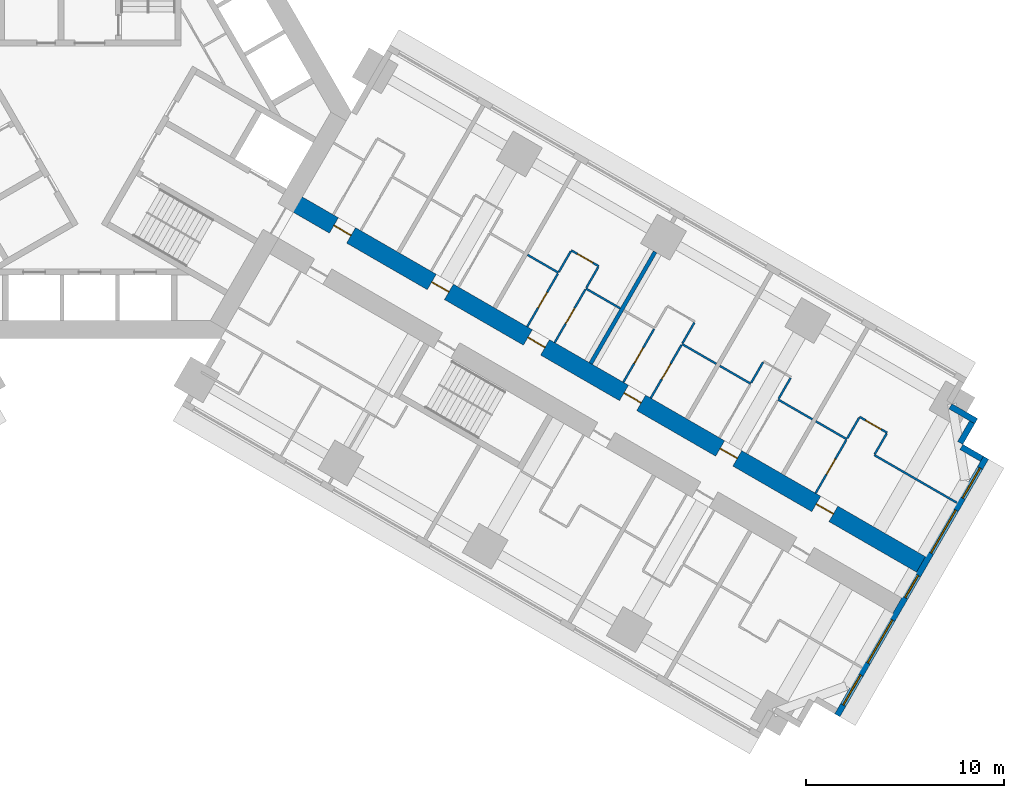
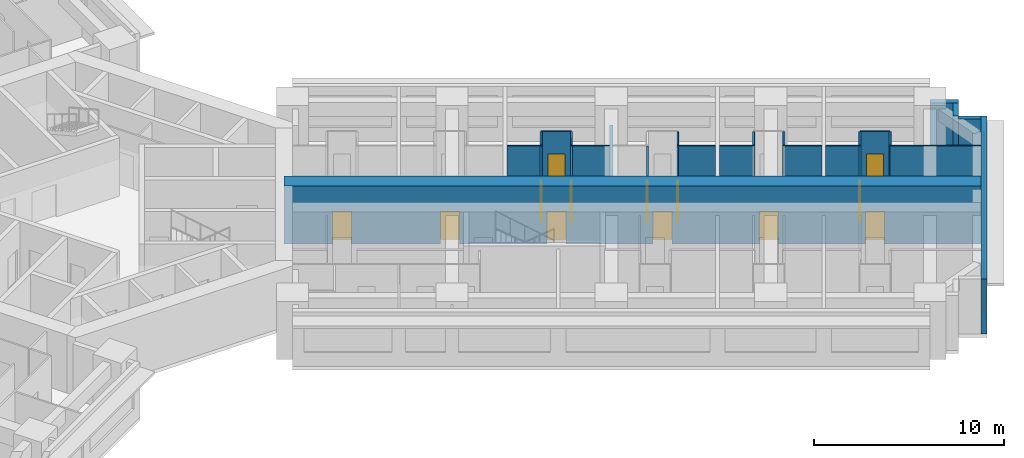
# One storey, part 12 of 16: 27 walls, 13 doors, 5 windows, 18 openings.
"""IFC4 building model written with IfcOpenShell, lengths in metres."""

import ifcopenshell
import ifcopenshell.guid

model = None  # the IFC model being written
_history = None  # IfcOwnerHistory: only IFC2X3 demands one
_inside = {}  # id of a spatial element -> (the spatial element, [elements in it])
_under = {}  # id of a project, library or spatial element -> (it, [spatial elements below it])
_declared = {}  # id of a project -> (the project, [libraries it declares])
_typed = {}  # id of a type object -> (the type object, [elements of that type])
_made_of = {}  # id of a material, layer set ... -> (it, [elements and type objects made of it])


def new_model(schema):
    """Start an empty IFC model of exactly this schema.

    Asked for "IFC4X3", IfcOpenShell would pick the latest addendum, in which some entities
    have other attributes; the version numbers below select the first issue.
    IFC2X3 requires an IfcOwnerHistory on every rooted entity: one is made here for all.
    """
    global model, _history
    if schema == "IFC4X3":
        model = ifcopenshell.file(schema_version=(4, 3, 0, 0))
    else:
        model = ifcopenshell.file(schema=schema)
    _inside.clear()
    _under.clear()
    _declared.clear()
    _typed.clear()
    _made_of.clear()
    _history = None
    if model.schema == "IFC2X3":
        org = make("IfcOrganization", Name="unknown")
        user = make(
            "IfcPersonAndOrganization",
            ThePerson=make("IfcPerson", FamilyName="unknown"),
            TheOrganization=org,
        )
        app = make(
            "IfcApplication",
            ApplicationDeveloper=org,
            Version="unknown",
            ApplicationFullName="unknown",
            ApplicationIdentifier="unknown",
        )
        _history = make(
            "IfcOwnerHistory",
            OwningUser=user,
            OwningApplication=app,
            ChangeAction="ADDED",
            CreationDate=0,
        )
    return model


def make(cls, **values):
    """One entity of the class cls with the attributes given. An attribute that is None is left unset."""
    return model.create_entity(
        cls, **{name: value for name, value in values.items() if value is not None}
    )


def rooted(cls, **values):
    """An entity with a GlobalId (a new one), such as an element, a storey or a relation."""
    return make(cls, GlobalId=ifcopenshell.guid.new(), OwnerHistory=_history, **values)


def si_unit(unit_type, name, prefix=None):
    """IfcSIUnit, for example si_unit("LENGTHUNIT", "METRE", prefix="MILLI")."""
    return make("IfcSIUnit", UnitType=unit_type, Prefix=prefix, Name=name)


def assignment(units):
    """IfcUnitAssignment: the units of a project."""
    return None if units is None else make("IfcUnitAssignment", Units=units)


def point(xyz):
    """IfcCartesianPoint."""
    return None if xyz is None else make("IfcCartesianPoint", Coordinates=xyz)


def direction(xyz):
    """IfcDirection."""
    return None if xyz is None else make("IfcDirection", DirectionRatios=xyz)


def frame(location, z_axis=None, x_axis=None):
    """IfcAxis2Placement3D, a coordinate frame: its origin and axes. An axis left out is left unset."""
    return make(
        "IfcAxis2Placement3D",
        Location=point(location),
        Axis=direction(z_axis),
        RefDirection=direction(x_axis),
    )


def frame_2d(location, x_axis=None):
    """IfcAxis2Placement2D, a coordinate frame in the plane: its origin and x axis."""
    return make(
        "IfcAxis2Placement2D", Location=point(location), RefDirection=direction(x_axis)
    )


def origin():
    """The frame at (0, 0, 0) with its axes left unset."""
    return frame((0.0, 0.0, 0.0))


def place(relative_to, where):
    """IfcLocalPlacement: puts the frame where relative to a parent placement (None: the world)."""
    return make(
        "IfcLocalPlacement", PlacementRelTo=relative_to, RelativePlacement=where
    )


def context(
    kind, dimensions, precision=None, world=None, true_north=None, identifier=None
):
    """IfcGeometricRepresentationContext, for example the 3D "Model" context."""
    return make(
        "IfcGeometricRepresentationContext",
        ContextIdentifier=identifier,
        ContextType=kind,
        CoordinateSpaceDimension=dimensions,
        Precision=precision,
        WorldCoordinateSystem=world,
        TrueNorth=true_north,
    )


def subcontext(parent, identifier, kind, view, scale=None):
    """IfcGeometricRepresentationSubContext, for example "Body" below "Model"."""
    return make(
        "IfcGeometricRepresentationSubContext",
        ContextIdentifier=identifier,
        ContextType=kind,
        ParentContext=parent,
        TargetScale=scale,
        TargetView=view,
    )


def project(units=None, contexts=None):
    """IfcProject with its units and contexts."""
    return rooted(
        "IfcProject",
        Name="project",
        RepresentationContexts=contexts,
        UnitsInContext=assignment(units),
    )


def spatial(cls, under=None, at=None, **own):
    """A site, building, storey or space (cls), placed at a placement, below another one or the project."""
    s = rooted(cls, ObjectPlacement=at, **own)
    if under is not None:
        _under.setdefault(under.id(), (under, []))[1].append(s)
    return s


def profile(cls, at=None, kind="AREA", **sizes):
    """A parametric profile (cls). Its sizes go by their IFC names, for example OverallWidth=200.0."""
    return make(cls, ProfileType=kind, Position=at, **sizes)


def rectangle(**sizes):
    """IfcRectangleProfileDef."""
    return profile("IfcRectangleProfileDef", **sizes)


def extrude(swept, where, along, depth):
    """IfcExtrudedAreaSolid: the profile swept, set in the frame where, extruded along a direction by depth."""
    return make(
        "IfcExtrudedAreaSolid",
        SweptArea=swept,
        Position=where,
        ExtrudedDirection=direction(along),
        Depth=depth,
    )


def shape(context_of_items, identifier, shape_type, items):
    """IfcShapeRepresentation: the items that make up one representation, for example the "Body"."""
    return make(
        "IfcShapeRepresentation",
        ContextOfItems=context_of_items,
        RepresentationIdentifier=identifier,
        RepresentationType=shape_type,
        Items=items,
    )


def material(Name=None, Category=None):
    """IfcMaterial."""
    return make("IfcMaterial", Name=Name, Category=Category)


def layer(
    of_material, thickness, ventilated=None, Name=None, Category=None, Priority=None
):
    """IfcMaterialLayer: one layer of a wall or slab, of a material (None: an air gap)."""
    return make(
        "IfcMaterialLayer",
        Material=of_material,
        LayerThickness=thickness,
        IsVentilated=ventilated,
        Name=Name,
        Category=Category,
        Priority=Priority,
    )


def layer_set(layers, Name=None):
    """IfcMaterialLayerSet."""
    return make("IfcMaterialLayerSet", MaterialLayers=layers, LayerSetName=Name)


def made_of(thing, what):
    """Note that an element or type object is made of a material, layer set ...; save() writes the relation."""
    if what is not None:
        _made_of.setdefault(what.id(), (what, []))[1].append(thing)
    return thing


def type_object(cls, material=None, **own):
    """A type object (cls), such as IfcWallType, which elements share."""
    return made_of(rooted(cls, **own), material)


def element(
    cls,
    number,
    at=None,
    inside=None,
    cuts=None,
    type_object=None,
    material=None,
    context=None,
    identifier="Body",
    shape_type=None,
    held_by="IfcProductDefinitionShape",
    body=None,
    shapes=None,
    **own,
):
    """One element of the class cls, such as IfcWall. Its Tag is "e" and its number.

    at: its placement. inside: the storey or other place that contains it. cuts: it is an
    opening in that element (IfcRelVoidsElement). A single representation is given by context,
    identifier, shape_type and body (its items); several are given by shapes. held_by: the class
    of the entity that holds the representations. save() writes the other relations.
    """
    e = rooted(cls, Tag="e%d" % number, ObjectPlacement=at, **own)
    if body is not None:
        shapes = [shape(context, identifier, shape_type, body)]
    if shapes is not None:
        e.Representation = make(held_by, Representations=shapes)
    if inside is not None:
        _inside.setdefault(inside.id(), (inside, []))[1].append(e)
    if cuts is not None:
        rooted(
            "IfcRelVoidsElement", RelatingBuildingElement=cuts, RelatedOpeningElement=e
        )
    if type_object is not None:
        _typed.setdefault(type_object.id(), (type_object, []))[1].append(e)
    return made_of(e, material)


def fill(opening, filler):
    """IfcRelFillsElement: the door or window that sits in an opening."""
    return rooted(
        "IfcRelFillsElement",
        RelatingOpeningElement=opening,
        RelatedBuildingElement=filler,
    )


def aggregate(whole, parts):
    """IfcRelAggregates: a whole, such as a stair, and the parts it consists of."""
    return rooted("IfcRelAggregates", RelatingObject=whole, RelatedObjects=parts)


def save(model, path):
    """Write the relations noted so far, then the file.

    IfcRelAggregates (storeys below a building ...), IfcRelContainedInSpatialStructure (elements
    in a storey), IfcRelDefinesByType, IfcRelAssociatesMaterial and IfcRelDeclares: one each for
    every whole, place, type object, material and project.
    """
    for whole, parts in _under.values():
        aggregate(whole, parts)
    for where, things in _inside.values():
        rooted(
            "IfcRelContainedInSpatialStructure",
            RelatedElements=things,
            RelatingStructure=where,
        )
    for kind, things in _typed.values():
        rooted("IfcRelDefinesByType", RelatedObjects=things, RelatingType=kind)
    for what, things in _made_of.values():
        rooted("IfcRelAssociatesMaterial", RelatedObjects=things, RelatingMaterial=what)
    for by, libraries in _declared.values():
        rooted("IfcRelDeclares", RelatingContext=by, RelatedDefinitions=libraries)
    model.write(path)


model = new_model("IFC4")

# Units and contexts
model_context = context("Model", 3, precision=1e-05, world=origin(), true_north=direction((0.0, 1.0)))
body_context = subcontext(model_context, "Body", "Model", "MODEL_VIEW")
ifc_project = project(units=[si_unit("LENGTHUNIT", "METRE"), si_unit("AREAUNIT", "SQUARE_METRE"), si_unit("VOLUMEUNIT", "CUBIC_METRE"), si_unit("PLANEANGLEUNIT", "RADIAN"), si_unit("MASSUNIT", "GRAM", prefix="KILO")], contexts=[model_context])

# Site, building, storey
site_placement = place(None, origin())
site = spatial("IfcSite", under=ifc_project, at=site_placement, CompositionType="ELEMENT")
building_placement = place(site_placement, origin())
building = spatial("IfcBuilding", under=site, at=building_placement, Name="Impinga Residences", CompositionType="ELEMENT")
storey_placement = place(building_placement, frame((0.0, 0.0, 37.25)))
storey = spatial("IfcBuildingStorey", under=building, at=storey_placement, Name="L08", CompositionType="ELEMENT", Elevation=37.25)

# Wall, openings, doors
ifc_material_1 = material(Name="Concrete C70/85", Category="concrete")
ifc_layer_1 = layer(ifc_material_1, 0.89990234375)
ifc_layer_set_1 = layer_set([ifc_layer_1], Name="Concrete C70/85")
wall_type_1 = type_object("IfcWallType", Name="BW1 corridor buttress wall, L05 to L22 900", PredefinedType="SHEAR", material=ifc_layer_set_1)
wall_1_placement = place(storey_placement, frame((10.1103515625, -4.451416015625, 0.0), z_axis=(0.0, 0.0, 1.0), x_axis=(0.866025284237, -0.500000207062, 0.0)))
wall_1 = element("IfcWall", 1, at=wall_1_placement, inside=storey, type_object=wall_type_1, Name="Corridor wall BW1 EC L08", PredefinedType="SHEAR", context=body_context, shape_type="SweptSolid", body=[
    extrude(rectangle(XDim=36.75, YDim=0.89990234375, at=frame_2d((18.375, 0.0))), origin(), (0.0, 0.0, 1.0), 3.75),
])
opening_1_placement = place(wall_1_placement, frame((2.550048828125, 0.0, 0.0)))
opening_1 = element("IfcOpeningElement", 2, at=opening_1_placement, cuts=wall_1, Name="Opening D1", PredefinedType="OPENING", context=body_context, shape_type="SweptSolid", body=[
    extrude(rectangle(XDim=1.0, YDim=2.10009765625, at=frame_2d((0.5, 1.050048828125))), frame((0.0, 0.4599609375, 0.0), z_axis=(0.0, -1.0, 0.0), x_axis=(1.0, 0.0, 0.0)), (0.0, 0.0, 1.0), 0.919921875),
])
opening_2_placement = place(wall_1_placement, frame((8.25, 0.0, 0.0)))
opening_2 = element("IfcOpeningElement", 3, at=opening_2_placement, cuts=wall_1, Name="Opening D1", PredefinedType="OPENING", context=body_context, shape_type="SweptSolid", body=[
    extrude(rectangle(XDim=1.0, YDim=2.10009765625, at=frame_2d((0.5, 1.050048828125))), frame((0.0, 0.4599609375, 0.0), z_axis=(0.0, -1.0, 0.0), x_axis=(1.0, 0.0, 0.0)), (0.0, 0.0, 1.0), 0.919921875),
])
opening_3_placement = place(wall_1_placement, frame((13.85009765625, 0.0, 0.0)))
opening_3 = element("IfcOpeningElement", 4, at=opening_3_placement, cuts=wall_1, Name="Opening D1", PredefinedType="OPENING", context=body_context, shape_type="SweptSolid", body=[
    extrude(rectangle(XDim=1.0, YDim=2.10009765625, at=frame_2d((0.5, 1.050048828125))), frame((0.0, 0.4599609375, 0.0), z_axis=(0.0, -1.0, 0.0), x_axis=(1.0, 0.0, 0.0)), (0.0, 0.0, 1.0), 0.919921875),
])
opening_4_placement = place(wall_1_placement, frame((19.449951171875, 0.0, 0.0)))
opening_4 = element("IfcOpeningElement", 5, at=opening_4_placement, cuts=wall_1, Name="Opening D1", PredefinedType="OPENING", context=body_context, shape_type="SweptSolid", body=[
    extrude(rectangle(XDim=1.0, YDim=2.10009765625, at=frame_2d((0.5, 1.050048828125))), frame((0.0, 0.4599609375, 0.0), z_axis=(0.0, -1.0, 0.0), x_axis=(1.0, 0.0, 0.0)), (0.0, 0.0, 1.0), 0.919921875),
])
opening_5_placement = place(wall_1_placement, frame((25.050048828125, 0.0, 0.0)))
opening_5 = element("IfcOpeningElement", 6, at=opening_5_placement, cuts=wall_1, Name="Opening D1", PredefinedType="OPENING", context=body_context, shape_type="SweptSolid", body=[
    extrude(rectangle(XDim=1.0, YDim=2.10009765625, at=frame_2d((0.5, 1.050048828125))), frame((0.0, 0.4599609375, 0.0), z_axis=(0.0, -1.0, 0.0), x_axis=(1.0, 0.0, 0.0)), (0.0, 0.0, 1.0), 0.919921875),
])
opening_6_placement = place(wall_1_placement, frame((30.64990234375, 0.0, 0.0)))
opening_6 = element("IfcOpeningElement", 7, at=opening_6_placement, cuts=wall_1, Name="Opening D1", PredefinedType="OPENING", context=body_context, shape_type="SweptSolid", body=[
    extrude(rectangle(XDim=1.0, YDim=2.10009765625, at=frame_2d((0.5, 1.050048828125))), frame((0.0, 0.4599609375, 0.0), z_axis=(0.0, -1.0, 0.0), x_axis=(1.0, 0.0, 0.0)), (0.0, 0.0, 1.0), 0.919921875),
])
ifc_material_2 = material(Name="Timber door set", Category="wood")
door_type_1 = type_object("IfcDoorType", Name="D1 apartment entrance door 1000x2100", OperationType="SINGLE_SWING_LEFT", PredefinedType="DOOR", material=ifc_material_2)
door_1_placement = place(opening_1_placement, origin())
door_1 = element("IfcDoor", 8, at=door_1_placement, inside=storey, type_object=door_type_1, Name="Apartment L08-EA1 entrance", OperationType="SINGLE_SWING_LEFT", OverallHeight=2.10009765625, OverallWidth=1.0, PredefinedType="DOOR", context=body_context, shape_type="SweptSolid", body=[
    extrude(rectangle(XDim=1.0, YDim=2.10009765625, at=frame_2d((0.5, 1.050048828125))), frame((0.0, 0.02490234375, 0.0), z_axis=(0.0, -1.0, 0.0), x_axis=(1.0, 0.0, 0.0)), (0.0, 0.0, 1.0), 0.050048828125),
])
fill(opening_1, door_1)
door_2_placement = place(opening_2_placement, origin())
door_2 = element("IfcDoor", 9, at=door_2_placement, inside=storey, type_object=door_type_1, Name="Apartment L08-EA2 entrance", OperationType="SINGLE_SWING_LEFT", OverallHeight=2.10009765625, OverallWidth=1.0, PredefinedType="DOOR", context=body_context, shape_type="SweptSolid", body=[
    extrude(rectangle(XDim=1.0, YDim=2.10009765625, at=frame_2d((0.5, 1.050048828125))), frame((0.0, 0.02490234375, 0.0), z_axis=(0.0, -1.0, 0.0), x_axis=(1.0, 0.0, 0.0)), (0.0, 0.0, 1.0), 0.050048828125),
])
fill(opening_2, door_2)
door_3_placement = place(opening_3_placement, origin())
door_3 = element("IfcDoor", 10, at=door_3_placement, inside=storey, type_object=door_type_1, Name="Apartment L08-EA3 entrance", OperationType="SINGLE_SWING_LEFT", OverallHeight=2.10009765625, OverallWidth=1.0, PredefinedType="DOOR", context=body_context, shape_type="SweptSolid", body=[
    extrude(rectangle(XDim=1.0, YDim=2.10009765625, at=frame_2d((0.5, 1.050048828125))), frame((0.0, 0.02490234375, 0.0), z_axis=(0.0, -1.0, 0.0), x_axis=(1.0, 0.0, 0.0)), (0.0, 0.0, 1.0), 0.050048828125),
])
fill(opening_3, door_3)
door_4_placement = place(opening_4_placement, origin())
door_4 = element("IfcDoor", 11, at=door_4_placement, inside=storey, type_object=door_type_1, Name="Apartment L08-EA4 entrance", OperationType="SINGLE_SWING_RIGHT", OverallHeight=2.10009765625, OverallWidth=1.0, PredefinedType="DOOR", context=body_context, shape_type="SweptSolid", body=[
    extrude(rectangle(XDim=1.0, YDim=2.10009765625, at=frame_2d((0.5, 1.050048828125))), frame((0.0, 0.02490234375, 0.0), z_axis=(0.0, -1.0, 0.0), x_axis=(1.0, 0.0, 0.0)), (0.0, 0.0, 1.0), 0.050048828125),
])
fill(opening_4, door_4)
door_5_placement = place(opening_5_placement, origin())
door_5 = element("IfcDoor", 12, at=door_5_placement, inside=storey, type_object=door_type_1, Name="Apartment L08-EA5 entrance", OperationType="SINGLE_SWING_RIGHT", OverallHeight=2.10009765625, OverallWidth=1.0, PredefinedType="DOOR", context=body_context, shape_type="SweptSolid", body=[
    extrude(rectangle(XDim=1.0, YDim=2.10009765625, at=frame_2d((0.5, 1.050048828125))), frame((0.0, 0.02490234375, 0.0), z_axis=(0.0, -1.0, 0.0), x_axis=(1.0, 0.0, 0.0)), (0.0, 0.0, 1.0), 0.050048828125),
])
fill(opening_5, door_5)
door_6_placement = place(opening_6_placement, origin())
door_6 = element("IfcDoor", 13, at=door_6_placement, inside=storey, type_object=door_type_1, Name="Apartment L08-EA6 entrance", OperationType="SINGLE_SWING_RIGHT", OverallHeight=2.10009765625, OverallWidth=1.0, PredefinedType="DOOR", context=body_context, shape_type="SweptSolid", body=[
    extrude(rectangle(XDim=1.0, YDim=2.10009765625, at=frame_2d((0.5, 1.050048828125))), frame((0.0, 0.02490234375, 0.0), z_axis=(0.0, -1.0, 0.0), x_axis=(1.0, 0.0, 0.0)), (0.0, 0.0, 1.0), 0.050048828125),
])
fill(opening_6, door_6)

# Walls
ifc_material_3 = material(Name="Terracotta rainscreen on blockwork", Category="masonry")
ifc_layer_2 = layer(ifc_material_3, 0.300048828125)
ifc_layer_set_2 = layer_set([ifc_layer_2], Name="EW1 external wall, terracotta rainscreen on blockwork 300")
wall_type_2 = type_object("IfcWallType", Name="EW1 external wall, terracotta rainscreen on blockwork 300", PredefinedType="SOLIDWALL", material=ifc_layer_set_2)
wall_2_placement = place(storey_placement, frame((43.42333984375, -14.8515625, 0.0), z_axis=(0.0, 0.0, 1.0), x_axis=(0.866031096941, -0.499990139034, 0.0)))
element("IfcWall", 14, at=wall_2_placement, inside=storey, type_object=wall_type_2, Name="External wall EW1 L08", PredefinedType="SOLIDWALL", context=body_context, shape_type="SweptSolid", body=[
    extrude(rectangle(XDim=1.5, YDim=0.300048828125, at=frame_2d((0.75, 0.0))), origin(), (0.0, 0.0, 1.0), 3.530029296875),
])
wall_3_placement = place(storey_placement, frame((44.517578125, -15.65625, 0.0), z_axis=(0.0, 0.0, 1.0), x_axis=(-0.500033551112, -0.866006032174, 0.0)))
element("IfcWall", 15, at=wall_3_placement, inside=storey, type_object=wall_type_2, Name="External wall EW1 L08", PredefinedType="SOLIDWALL", context=body_context, shape_type="SweptSolid", body=[
    extrude(rectangle(XDim=1.2001953125, YDim=0.300048828125, at=frame_2d((0.60009765625, 0.0))), origin(), (0.0, 0.0, 1.0), 3.530029296875),
])
wall_4_placement = place(storey_placement, frame((43.976806640625, -16.903076171875, 0.0), z_axis=(0.0, 0.0, 1.0), x_axis=(0.866059708757, -0.499940577336, 0.0)))
element("IfcWall", 16, at=wall_4_placement, inside=storey, type_object=wall_type_2, Name="External wall EW1 L08", PredefinedType="SOLIDWALL", context=body_context, shape_type="SweptSolid", body=[
    extrude(rectangle(XDim=1.195068359375, YDim=0.300048828125, at=frame_2d((0.59765625, 0.0))), origin(), (0.0, 0.0, 1.0), 3.530029296875),
])

# Wall, openings, windows
wall_5_placement = place(storey_placement, frame((45.216552734375, -17.445556640625, 0.0), z_axis=(0.0, 0.0, 1.0), x_axis=(-0.499997186618, -0.866027028085, 0.0)))
wall_5 = element("IfcWall", 17, at=wall_5_placement, inside=storey, type_object=wall_type_2, Name="External wall EW1 L08", PredefinedType="SOLIDWALL", context=body_context, shape_type="SweptSolid", body=[
    extrude(rectangle(XDim=15.0, YDim=0.300048828125, at=frame_2d((7.5, 0.0))), origin(), (0.0, 0.0, 1.0), 3.530029296875),
])
opening_7_placement = place(wall_5_placement, frame((0.60009765625, 0.0, 0.89990234375)))
opening_7 = element("IfcOpeningElement", 18, at=opening_7_placement, cuts=wall_5, Name="Opening W1", PredefinedType="OPENING", context=body_context, shape_type="SweptSolid", body=[
    extrude(rectangle(XDim=1.75, YDim=2.050048828125, at=frame_2d((0.875, 1.02490234375))), frame((0.0, 0.159912109375, 0.0), z_axis=(0.0, -1.0, 0.0), x_axis=(1.0, 0.0, 0.0)), (0.0, 0.0, 1.0), 0.320068359375),
])
opening_8_placement = place(wall_5_placement, frame((3.050048828125, 0.0, 0.89990234375)))
opening_8 = element("IfcOpeningElement", 19, at=opening_8_placement, cuts=wall_5, Name="Opening W2", PredefinedType="OPENING", context=body_context, shape_type="SweptSolid", body=[
    extrude(rectangle(XDim=2.5, YDim=2.050048828125, at=frame_2d((1.25, 1.02490234375))), frame((0.0, 0.159912109375, 0.0), z_axis=(0.0, -1.0, 0.0), x_axis=(1.0, 0.0, 0.0)), (0.0, 0.0, 1.0), 0.320068359375),
])
opening_9_placement = place(wall_5_placement, frame((6.85009765625, 0.0, 0.89990234375)))
opening_9 = element("IfcOpeningElement", 20, at=opening_9_placement, cuts=wall_5, Name="Opening WE1", PredefinedType="OPENING", context=body_context, shape_type="SweptSolid", body=[
    extrude(rectangle(XDim=1.300048828125, YDim=2.050048828125, at=frame_2d((0.64990234375, 1.02490234375))), frame((0.0, 0.159912109375, 0.0), z_axis=(0.0, -1.0, 0.0), x_axis=(1.0, 0.0, 0.0)), (0.0, 0.0, 1.0), 0.320068359375),
])
opening_10_placement = place(wall_5_placement, frame((9.449951171875, 0.0, 0.89990234375)))
opening_10 = element("IfcOpeningElement", 21, at=opening_10_placement, cuts=wall_5, Name="Opening W2", PredefinedType="OPENING", context=body_context, shape_type="SweptSolid", body=[
    extrude(rectangle(XDim=2.5, YDim=2.050048828125, at=frame_2d((1.25, 1.02490234375))), frame((0.0, 0.159912109375, 0.0), z_axis=(0.0, -1.0, 0.0), x_axis=(1.0, 0.0, 0.0)), (0.0, 0.0, 1.0), 0.320068359375),
])
opening_11_placement = place(wall_5_placement, frame((12.64990234375, 0.0, 0.89990234375)))
opening_11 = element("IfcOpeningElement", 22, at=opening_11_placement, cuts=wall_5, Name="Opening W1", PredefinedType="OPENING", context=body_context, shape_type="SweptSolid", body=[
    extrude(rectangle(XDim=1.75, YDim=2.050048828125, at=frame_2d((0.875, 1.02490234375))), frame((0.0, 0.159912109375, 0.0), z_axis=(0.0, -1.0, 0.0), x_axis=(1.0, 0.0, 0.0)), (0.0, 0.0, 1.0), 0.320068359375),
])
ifc_material_4 = material(Name="Aluminium window, clear double glazing", Category="aluminium")
window_type_1 = type_object("IfcWindowType", Name="W1 ribbon window 1750x2050", PartitioningType="SINGLE_PANEL", PredefinedType="WINDOW", material=ifc_material_4)
window_1_placement = place(opening_7_placement, origin())
window_1 = element("IfcWindow", 23, at=window_1_placement, inside=storey, type_object=window_type_1, Name="Window L08", OverallHeight=2.050048828125, OverallWidth=1.75, PartitioningType="SINGLE_PANEL", PredefinedType="WINDOW", context=body_context, shape_type="SweptSolid", body=[
    extrude(rectangle(XDim=1.75, YDim=2.050048828125, at=frame_2d((0.875, 1.02490234375))), frame((0.0, 0.030029296875, 0.0), z_axis=(0.0, -1.0, 0.0), x_axis=(1.0, 0.0, 0.0)), (0.0, 0.0, 1.0), 0.06005859375),
])
fill(opening_7, window_1)
window_2_placement = place(opening_11_placement, origin())
window_2 = element("IfcWindow", 24, at=window_2_placement, inside=storey, type_object=window_type_1, Name="Window L08", OverallHeight=2.050048828125, OverallWidth=1.75, PartitioningType="SINGLE_PANEL", PredefinedType="WINDOW", context=body_context, shape_type="SweptSolid", body=[
    extrude(rectangle(XDim=1.75, YDim=2.050048828125, at=frame_2d((0.875, 1.02490234375))), frame((0.0, 0.030029296875, 0.0), z_axis=(0.0, -1.0, 0.0), x_axis=(1.0, 0.0, 0.0)), (0.0, 0.0, 1.0), 0.06005859375),
])
fill(opening_11, window_2)
window_type_2 = type_object("IfcWindowType", Name="W2 ribbon window 2500x2050", PartitioningType="SINGLE_PANEL", PredefinedType="WINDOW", material=ifc_material_4)
window_3_placement = place(opening_8_placement, origin())
window_3 = element("IfcWindow", 25, at=window_3_placement, inside=storey, type_object=window_type_2, Name="Window L08", OverallHeight=2.050048828125, OverallWidth=2.5, PartitioningType="SINGLE_PANEL", PredefinedType="WINDOW", context=body_context, shape_type="SweptSolid", body=[
    extrude(rectangle(XDim=2.5, YDim=2.050048828125, at=frame_2d((1.25, 1.02490234375))), frame((0.0, 0.030029296875, 0.0), z_axis=(0.0, -1.0, 0.0), x_axis=(1.0, 0.0, 0.0)), (0.0, 0.0, 1.0), 0.06005859375),
])
fill(opening_8, window_3)
window_4_placement = place(opening_10_placement, origin())
window_4 = element("IfcWindow", 26, at=window_4_placement, inside=storey, type_object=window_type_2, Name="Window L08", OverallHeight=2.050048828125, OverallWidth=2.5, PartitioningType="SINGLE_PANEL", PredefinedType="WINDOW", context=body_context, shape_type="SweptSolid", body=[
    extrude(rectangle(XDim=2.5, YDim=2.050048828125, at=frame_2d((1.25, 1.02490234375))), frame((0.0, 0.030029296875, 0.0), z_axis=(0.0, -1.0, 0.0), x_axis=(1.0, 0.0, 0.0)), (0.0, 0.0, 1.0), 0.06005859375),
])
fill(opening_10, window_4)
window_type_3 = type_object("IfcWindowType", Name="WE1 corridor window 1300x2050", PartitioningType="SINGLE_PANEL", PredefinedType="WINDOW", material=ifc_material_4)
window_5_placement = place(opening_9_placement, origin())
window_5 = element("IfcWindow", 27, at=window_5_placement, inside=storey, type_object=window_type_3, Name="Window L08", OverallHeight=2.050048828125, OverallWidth=1.300048828125, PartitioningType="SINGLE_PANEL", PredefinedType="WINDOW", context=body_context, shape_type="SweptSolid", body=[
    extrude(rectangle(XDim=1.300048828125, YDim=2.050048828125, at=frame_2d((0.64990234375, 1.02490234375))), frame((0.0, 0.030029296875, 0.0), z_axis=(0.0, -1.0, 0.0), x_axis=(1.0, 0.0, 0.0)), (0.0, 0.0, 1.0), 0.06005859375),
])
fill(opening_9, window_5)

# Walls
ifc_material_5 = material(Name="Gypsum board on steel studs", Category="steel")
ifc_layer_3 = layer(ifc_material_5, 0.10009765625)
ifc_layer_set_3 = layer_set([ifc_layer_3], Name="Gypsum board on steel studs")
wall_type_3 = type_object("IfcWallType", Name="IP1 partition 100", PredefinedType="PARTITIONING", material=ifc_layer_set_3)
wall_6_placement = place(storey_placement, frame((22.086181640625, -7.208740234375, 0.0), z_axis=(0.0, 0.0, 1.0), x_axis=(0.865989075817, -0.500062916607, 0.0)))
element("IfcWall", 28, at=wall_6_placement, inside=storey, type_object=wall_type_3, Name="Partition L08-EA3:DIV0", PredefinedType="PARTITIONING", context=body_context, shape_type="SweptSolid", body=[
    extrude(rectangle(XDim=1.800048828125, YDim=0.10009765625, at=frame_2d((0.89990234375, 0.0))), origin(), (0.0, 0.0, 1.0), 3.530029296875),
])
wall_7_placement = place(storey_placement, frame((25.030517578125, -8.908935546875, 0.0), z_axis=(0.0, 0.0, 1.0), x_axis=(0.866041268327, -0.499972520799, 0.0)))
element("IfcWall", 29, at=wall_7_placement, inside=storey, type_object=wall_type_3, Name="Partition L08-EA3:DIV1", PredefinedType="PARTITIONING", context=body_context, shape_type="SweptSolid", body=[
    extrude(rectangle(XDim=2.0, YDim=0.10009765625, at=frame_2d((1.0, 0.0))), origin(), (0.0, 0.0, 1.0), 3.530029296875),
])

# Wall, opening, door
wall_8_placement = place(storey_placement, frame((24.294921875, -6.98291015625, 0.0), z_axis=(0.0, 0.0, 1.0), x_axis=(0.866028054938, -0.499995408039, 0.0)))
wall_8 = element("IfcWall", 30, at=wall_8_placement, inside=storey, type_object=wall_type_3, Name="Partition L08-EA3:STRIP", PredefinedType="PARTITIONING", context=body_context, shape_type="SweptSolid", body=[
    extrude(rectangle(XDim=1.60009765625, YDim=0.10009765625, at=frame_2d((0.800048828125, 0.0))), origin(), (0.0, 0.0, 1.0), 3.530029296875),
])
opening_12_placement = place(wall_8_placement, frame((0.35009765625, 0.0, 0.0)))
opening_12 = element("IfcOpeningElement", 31, at=opening_12_placement, cuts=wall_8, Name="Opening D2", PredefinedType="OPENING", context=body_context, shape_type="SweptSolid", body=[
    extrude(rectangle(XDim=0.89990234375, YDim=2.10009765625, at=frame_2d((0.449951171875, 1.050048828125))), frame((0.0, 0.06005859375, 0.0), z_axis=(0.0, -1.0, 0.0), x_axis=(1.0, 0.0, 0.0)), (0.0, 0.0, 1.0), 0.1201171875),
])
door_type_2 = type_object("IfcDoorType", Name="D2 internal door 900x2100", OperationType="SINGLE_SWING_LEFT", PredefinedType="DOOR", material=ifc_material_2)
door_7_placement = place(opening_12_placement, origin())
door_7 = element("IfcDoor", 32, at=door_7_placement, inside=storey, type_object=door_type_2, Name="Apartment L08-EA3 room door", OperationType="SINGLE_SWING_LEFT", OverallHeight=2.10009765625, OverallWidth=0.89990234375, PredefinedType="DOOR", context=body_context, shape_type="SweptSolid", body=[
    extrude(rectangle(XDim=0.89990234375, YDim=2.10009765625, at=frame_2d((0.449951171875, 1.050048828125))), frame((0.0, 0.02490234375, 0.0), z_axis=(0.0, -1.0, 0.0), x_axis=(1.0, 0.0, 0.0)), (0.0, 0.0, 1.0), 0.050048828125),
])
fill(opening_12, door_7)

# Walls
wall_9_placement = place(storey_placement, frame((23.669921875, -8.0654296875, 0.0), z_axis=(0.0, 0.0, 1.0), x_axis=(0.50012165622, 0.865955154139, 0.0)))
element("IfcWall", 33, at=wall_9_placement, inside=storey, type_object=wall_type_3, Name="Partition L08-EA3:SE0", PredefinedType="PARTITIONING", context=body_context, shape_type="SweptSolid", body=[
    extrude(rectangle(XDim=1.199951171875, YDim=0.10009765625, at=frame_2d((0.60009765625, 0.0))), origin(), (0.0, 0.0, 1.0), 3.530029296875),
])
wall_10_placement = place(storey_placement, frame((25.0556640625, -8.865478515625, 0.0), z_axis=(0.0, 0.0, 1.0), x_axis=(0.499969057507, 0.866043267704, 0.0)))
element("IfcWall", 34, at=wall_10_placement, inside=storey, type_object=wall_type_3, Name="Partition L08-EA3:SE1", PredefinedType="PARTITIONING", context=body_context, shape_type="SweptSolid", body=[
    extrude(rectangle(XDim=1.19970703125, YDim=0.10009765625, at=frame_2d((0.599853515625, 0.0))), origin(), (0.0, 0.0, 1.0), 3.530029296875),
])

# Wall, opening, door
wall_11_placement = place(storey_placement, frame((22.06982421875, -10.8369140625, 0.0), z_axis=(0.0, 0.0, 1.0), x_axis=(0.49999285859, 0.86602952684, 0.0)))
wall_11 = element("IfcWall", 35, at=wall_11_placement, inside=storey, type_object=wall_type_3, Name="Partition L08-EA3:IB1", PredefinedType="PARTITIONING", context=body_context, shape_type="SweptSolid", body=[
    extrude(rectangle(XDim=3.10009765625, YDim=0.10009765625, at=frame_2d((1.550048828125, 0.0))), origin(), (0.0, 0.0, 1.0), 3.530029296875),
])
opening_13_placement = place(wall_11_placement, frame((1.10009765625, 0.0, 0.0)))
opening_13 = element("IfcOpeningElement", 36, at=opening_13_placement, cuts=wall_11, Name="Opening D2", PredefinedType="OPENING", context=body_context, shape_type="SweptSolid", body=[
    extrude(rectangle(XDim=0.89990234375, YDim=2.10009765625, at=frame_2d((0.449951171875, 1.050048828125))), frame((0.0, 0.06005859375, 0.0), z_axis=(0.0, -1.0, 0.0), x_axis=(1.0, 0.0, 0.0)), (0.0, 0.0, 1.0), 0.1201171875),
])
door_8_placement = place(opening_13_placement, origin())
door_8 = element("IfcDoor", 37, at=door_8_placement, inside=storey, type_object=door_type_2, Name="Apartment L08-EA3 bathroom door", OperationType="SINGLE_SWING_LEFT", OverallHeight=2.10009765625, OverallWidth=0.89990234375, PredefinedType="DOOR", context=body_context, shape_type="SweptSolid", body=[
    extrude(rectangle(XDim=0.89990234375, YDim=2.10009765625, at=frame_2d((0.449951171875, 1.050048828125))), frame((0.0, 0.02490234375, 0.0), z_axis=(0.0, -1.0, 0.0), x_axis=(1.0, 0.0, 0.0)), (0.0, 0.0, 1.0), 0.050048828125),
])
fill(opening_13, door_8)

wall_12_placement = place(storey_placement, frame((23.45556640625, -11.63671875, 0.0), z_axis=(0.0, 0.0, 1.0), x_axis=(0.500026960575, 0.86600983753, 0.0)))
wall_12 = element("IfcWall", 38, at=wall_12_placement, inside=storey, type_object=wall_type_3, Name="Partition L08-EA3:IB2", PredefinedType="PARTITIONING", context=body_context, shape_type="SweptSolid", body=[
    extrude(rectangle(XDim=3.099853515625, YDim=0.10009765625, at=frame_2d((1.5498046875, 0.0))), origin(), (0.0, 0.0, 1.0), 3.530029296875),
])
opening_14_placement = place(wall_12_placement, frame((1.10009765625, 0.0, 0.0)))
opening_14 = element("IfcOpeningElement", 39, at=opening_14_placement, cuts=wall_12, Name="Opening D2", PredefinedType="OPENING", context=body_context, shape_type="SweptSolid", body=[
    extrude(rectangle(XDim=0.89990234375, YDim=2.10009765625, at=frame_2d((0.449951171875, 1.050048828125))), frame((0.0, 0.06005859375, 0.0), z_axis=(0.0, -1.0, 0.0), x_axis=(1.0, 0.0, 0.0)), (0.0, 0.0, 1.0), 0.1201171875),
])
door_9_placement = place(opening_14_placement, origin())
door_9 = element("IfcDoor", 40, at=door_9_placement, inside=storey, type_object=door_type_2, Name="Apartment L08-EA3 WC door", OperationType="SINGLE_SWING_LEFT", OverallHeight=2.10009765625, OverallWidth=0.89990234375, PredefinedType="DOOR", context=body_context, shape_type="SweptSolid", body=[
    extrude(rectangle(XDim=0.89990234375, YDim=2.10009765625, at=frame_2d((0.449951171875, 1.050048828125))), frame((0.0, 0.02490234375, 0.0), z_axis=(0.0, -1.0, 0.0), x_axis=(1.0, 0.0, 0.0)), (0.0, 0.0, 1.0), 0.050048828125),
])
fill(opening_14, door_9)

# Walls
wall_13_placement = place(storey_placement, frame((29.88037109375, -11.708740234375, 0.0), z_axis=(0.0, 0.0, 1.0), x_axis=(0.866010750942, -0.50002537861, 0.0)))
element("IfcWall", 41, at=wall_13_placement, inside=storey, type_object=wall_type_3, Name="Partition L08-EA4:DIV1", PredefinedType="PARTITIONING", context=body_context, shape_type="SweptSolid", body=[
    extrude(rectangle(XDim=2.0, YDim=0.10009765625, at=frame_2d((1.0, 0.0))), origin(), (0.0, 0.0, 1.0), 3.530029296875),
])
wall_14_placement = place(storey_placement, frame((29.9052734375, -11.66552734375, 0.0), z_axis=(0.0, 0.0, 1.0), x_axis=(0.500033551112, 0.866006032174, 0.0)))
element("IfcWall", 42, at=wall_14_placement, inside=storey, type_object=wall_type_3, Name="Partition L08-EA4:SE1", PredefinedType="PARTITIONING", context=body_context, shape_type="SweptSolid", body=[
    extrude(rectangle(XDim=1.2001953125, YDim=0.10009765625, at=frame_2d((0.60009765625, 0.0))), origin(), (0.0, 0.0, 1.0), 3.530029296875),
])

# Wall, opening, door
wall_15_placement = place(storey_placement, frame((26.919677734375, -13.63671875, 0.0), z_axis=(0.0, 0.0, 1.0), x_axis=(0.500026960575, 0.86600983753, 0.0)))
wall_15 = element("IfcWall", 43, at=wall_15_placement, inside=storey, type_object=wall_type_3, Name="Partition L08-EA4:IB1", PredefinedType="PARTITIONING", context=body_context, shape_type="SweptSolid", body=[
    extrude(rectangle(XDim=3.099853515625, YDim=0.10009765625, at=frame_2d((1.5498046875, 0.0))), origin(), (0.0, 0.0, 1.0), 3.530029296875),
])
opening_15_placement = place(wall_15_placement, frame((1.10009765625, 0.0, 0.0)))
opening_15 = element("IfcOpeningElement", 44, at=opening_15_placement, cuts=wall_15, Name="Opening D2", PredefinedType="OPENING", context=body_context, shape_type="SweptSolid", body=[
    extrude(rectangle(XDim=0.89990234375, YDim=2.10009765625, at=frame_2d((0.449951171875, 1.050048828125))), frame((0.0, 0.06005859375, 0.0), z_axis=(0.0, -1.0, 0.0), x_axis=(1.0, 0.0, 0.0)), (0.0, 0.0, 1.0), 0.1201171875),
])
door_10_placement = place(opening_15_placement, origin())
door_10 = element("IfcDoor", 45, at=door_10_placement, inside=storey, type_object=door_type_2, Name="Apartment L08-EA4 bathroom door", OperationType="SINGLE_SWING_LEFT", OverallHeight=2.10009765625, OverallWidth=0.89990234375, PredefinedType="DOOR", context=body_context, shape_type="SweptSolid", body=[
    extrude(rectangle(XDim=0.89990234375, YDim=2.10009765625, at=frame_2d((0.449951171875, 1.050048828125))), frame((0.0, 0.02490234375, 0.0), z_axis=(0.0, -1.0, 0.0), x_axis=(1.0, 0.0, 0.0)), (0.0, 0.0, 1.0), 0.050048828125),
])
fill(opening_15, door_10)

wall_16_placement = place(storey_placement, frame((28.305419921875, -14.436767578125, 0.0), z_axis=(0.0, 0.0, 1.0), x_axis=(0.499967891604, 0.866043940782, 0.0)))
wall_16 = element("IfcWall", 46, at=wall_16_placement, inside=storey, type_object=wall_type_3, Name="Partition L08-EA4:IB2", PredefinedType="PARTITIONING", context=body_context, shape_type="SweptSolid", body=[
    extrude(rectangle(XDim=3.099853515625, YDim=0.10009765625, at=frame_2d((1.5498046875, 0.0))), origin(), (0.0, 0.0, 1.0), 3.530029296875),
])
opening_16_placement = place(wall_16_placement, frame((1.10009765625, 0.0, 0.0)))
opening_16 = element("IfcOpeningElement", 47, at=opening_16_placement, cuts=wall_16, Name="Opening D2", PredefinedType="OPENING", context=body_context, shape_type="SweptSolid", body=[
    extrude(rectangle(XDim=0.89990234375, YDim=2.10009765625, at=frame_2d((0.449951171875, 1.050048828125))), frame((0.0, 0.06005859375, 0.0), z_axis=(0.0, -1.0, 0.0), x_axis=(1.0, 0.0, 0.0)), (0.0, 0.0, 1.0), 0.1201171875),
])
door_11_placement = place(opening_16_placement, origin())
door_11 = element("IfcDoor", 48, at=door_11_placement, inside=storey, type_object=door_type_2, Name="Apartment L08-EA4 WC door", OperationType="SINGLE_SWING_LEFT", OverallHeight=2.10009765625, OverallWidth=0.89990234375, PredefinedType="DOOR", context=body_context, shape_type="SweptSolid", body=[
    extrude(rectangle(XDim=0.89990234375, YDim=2.10009765625, at=frame_2d((0.449951171875, 1.050048828125))), frame((0.0, 0.02490234375, 0.0), z_axis=(0.0, -1.0, 0.0), x_axis=(1.0, 0.0, 0.0)), (0.0, 0.0, 1.0), 0.050048828125),
])
fill(opening_16, door_11)

# Walls
wall_17_placement = place(storey_placement, frame((31.78564453125, -12.808837890625, 0.0), z_axis=(0.0, 0.0, 1.0), x_axis=(0.866047807691, -0.499961193289, 0.0)))
element("IfcWall", 49, at=wall_17_placement, inside=storey, type_object=wall_type_3, Name="Partition L08-EA5:DIV0", PredefinedType="PARTITIONING", context=body_context, shape_type="SweptSolid", body=[
    extrude(rectangle(XDim=1.800048828125, YDim=0.10009765625, at=frame_2d((0.89990234375, 0.0))), origin(), (0.0, 0.0, 1.0), 3.530029296875),
])
wall_18_placement = place(storey_placement, frame((34.72998046875, -14.5087890625, 0.0), z_axis=(0.0, 0.0, 1.0), x_axis=(0.866041268327, -0.499972520799, 0.0)))
element("IfcWall", 50, at=wall_18_placement, inside=storey, type_object=wall_type_3, Name="Partition L08-EA5:DIV1", PredefinedType="PARTITIONING", context=body_context, shape_type="SweptSolid", body=[
    extrude(rectangle(XDim=2.0, YDim=0.10009765625, at=frame_2d((1.0, 0.0))), origin(), (0.0, 0.0, 1.0), 3.530029296875),
])
wall_19_placement = place(storey_placement, frame((33.369384765625, -13.66552734375, 0.0), z_axis=(0.0, 0.0, 1.0), x_axis=(0.500033551112, 0.866006032174, 0.0)))
element("IfcWall", 51, at=wall_19_placement, inside=storey, type_object=wall_type_3, Name="Partition L08-EA5:SE0", PredefinedType="PARTITIONING", context=body_context, shape_type="SweptSolid", body=[
    extrude(rectangle(XDim=1.2001953125, YDim=0.10009765625, at=frame_2d((0.60009765625, 0.0))), origin(), (0.0, 0.0, 1.0), 3.530029296875),
])
wall_20_placement = place(storey_placement, frame((34.755126953125, -14.465576171875, 0.0), z_axis=(0.0, 0.0, 1.0), x_axis=(0.499880961361, 0.866094119867, 0.0)))
element("IfcWall", 52, at=wall_20_placement, inside=storey, type_object=wall_type_3, Name="Partition L08-EA5:SE1", PredefinedType="PARTITIONING", context=body_context, shape_type="SweptSolid", body=[
    extrude(rectangle(XDim=1.199951171875, YDim=0.10009765625, at=frame_2d((0.60009765625, 0.0))), origin(), (0.0, 0.0, 1.0), 3.530029296875),
])
wall_21_placement = place(storey_placement, frame((36.63525390625, -15.60888671875, 0.0), z_axis=(0.0, 0.0, 1.0), x_axis=(0.866047807691, -0.499961193289, 0.0)))
element("IfcWall", 53, at=wall_21_placement, inside=storey, type_object=wall_type_3, Name="Partition L08-EA6:DIV0", PredefinedType="PARTITIONING", context=body_context, shape_type="SweptSolid", body=[
    extrude(rectangle(XDim=1.800048828125, YDim=0.10009765625, at=frame_2d((0.89990234375, 0.0))), origin(), (0.0, 0.0, 1.0), 3.530029296875),
])
wall_22_placement = place(storey_placement, frame((39.579833984375, -17.308837890625, 0.0), z_axis=(0.0, 0.0, 1.0), x_axis=(0.866037363387, -0.499979284789, 0.0)))
element("IfcWall", 54, at=wall_22_placement, inside=storey, type_object=wall_type_3, Name="Partition L08-EA6:DIV1", PredefinedType="PARTITIONING", context=body_context, shape_type="SweptSolid", body=[
    extrude(rectangle(XDim=4.800048828125, YDim=0.10009765625, at=frame_2d((2.39990234375, 0.0))), origin(), (0.0, 0.0, 1.0), 3.530029296875),
])

# Wall, opening, door
wall_23_placement = place(storey_placement, frame((38.84423828125, -15.383056640625, 0.0), z_axis=(0.0, 0.0, 1.0), x_axis=(0.865989903783, -0.500061482766, 0.0)))
wall_23 = element("IfcWall", 55, at=wall_23_placement, inside=storey, type_object=wall_type_3, Name="Partition L08-EA6:STRIP", PredefinedType="PARTITIONING", context=body_context, shape_type="SweptSolid", body=[
    extrude(rectangle(XDim=1.599853515625, YDim=0.10009765625, at=frame_2d((0.7998046875, 0.0))), origin(), (0.0, 0.0, 1.0), 3.530029296875),
])
opening_17_placement = place(wall_23_placement, frame((0.35009765625, 0.0, 0.0)))
opening_17 = element("IfcOpeningElement", 56, at=opening_17_placement, cuts=wall_23, Name="Opening D2", PredefinedType="OPENING", context=body_context, shape_type="SweptSolid", body=[
    extrude(rectangle(XDim=0.89990234375, YDim=2.10009765625, at=frame_2d((0.449951171875, 1.050048828125))), frame((0.0, 0.06005859375, 0.0), z_axis=(0.0, -1.0, 0.0), x_axis=(1.0, 0.0, 0.0)), (0.0, 0.0, 1.0), 0.1201171875),
])
door_12_placement = place(opening_17_placement, origin())
door_12 = element("IfcDoor", 57, at=door_12_placement, inside=storey, type_object=door_type_2, Name="Apartment L08-EA6 room door", OperationType="SINGLE_SWING_LEFT", OverallHeight=2.10009765625, OverallWidth=0.89990234375, PredefinedType="DOOR", context=body_context, shape_type="SweptSolid", body=[
    extrude(rectangle(XDim=0.89990234375, YDim=2.10009765625, at=frame_2d((0.449951171875, 1.050048828125))), frame((0.0, 0.02490234375, 0.0), z_axis=(0.0, -1.0, 0.0), x_axis=(1.0, 0.0, 0.0)), (0.0, 0.0, 1.0), 0.050048828125),
])
fill(opening_17, door_12)

# Walls
wall_24_placement = place(storey_placement, frame((38.21923828125, -16.465576171875, 0.0), z_axis=(0.0, 0.0, 1.0), x_axis=(0.499880961361, 0.866094119867, 0.0)))
element("IfcWall", 58, at=wall_24_placement, inside=storey, type_object=wall_type_3, Name="Partition L08-EA6:SE0", PredefinedType="PARTITIONING", context=body_context, shape_type="SweptSolid", body=[
    extrude(rectangle(XDim=1.199951171875, YDim=0.10009765625, at=frame_2d((0.60009765625, 0.0))), origin(), (0.0, 0.0, 1.0), 3.530029296875),
])
wall_25_placement = place(storey_placement, frame((39.604736328125, -17.265625, 0.0), z_axis=(0.0, 0.0, 1.0), x_axis=(0.500033551112, 0.866006032174, 0.0)))
element("IfcWall", 59, at=wall_25_placement, inside=storey, type_object=wall_type_3, Name="Partition L08-EA6:SE1", PredefinedType="PARTITIONING", context=body_context, shape_type="SweptSolid", body=[
    extrude(rectangle(XDim=1.2001953125, YDim=0.10009765625, at=frame_2d((0.60009765625, 0.0))), origin(), (0.0, 0.0, 1.0), 3.530029296875),
])

# Wall, opening, door
wall_26_placement = place(storey_placement, frame((36.619140625, -19.23681640625, 0.0), z_axis=(0.0, 0.0, 1.0), x_axis=(0.500026960575, 0.86600983753, 0.0)))
wall_26 = element("IfcWall", 60, at=wall_26_placement, inside=storey, type_object=wall_type_3, Name="Partition L08-EA6:IB1", PredefinedType="PARTITIONING", context=body_context, shape_type="SweptSolid", body=[
    extrude(rectangle(XDim=3.099853515625, YDim=0.10009765625, at=frame_2d((1.5498046875, 0.0))), origin(), (0.0, 0.0, 1.0), 3.530029296875),
])
opening_18_placement = place(wall_26_placement, frame((1.10009765625, 0.0, 0.0)))
opening_18 = element("IfcOpeningElement", 61, at=opening_18_placement, cuts=wall_26, Name="Opening D2", PredefinedType="OPENING", context=body_context, shape_type="SweptSolid", body=[
    extrude(rectangle(XDim=0.89990234375, YDim=2.10009765625, at=frame_2d((0.449951171875, 1.050048828125))), frame((0.0, 0.06005859375, 0.0), z_axis=(0.0, -1.0, 0.0), x_axis=(1.0, 0.0, 0.0)), (0.0, 0.0, 1.0), 0.1201171875),
])
door_13_placement = place(opening_18_placement, origin())
door_13 = element("IfcDoor", 62, at=door_13_placement, inside=storey, type_object=door_type_2, Name="Apartment L08-EA6 bathroom door", OperationType="SINGLE_SWING_LEFT", OverallHeight=2.10009765625, OverallWidth=0.89990234375, PredefinedType="DOOR", context=body_context, shape_type="SweptSolid", body=[
    extrude(rectangle(XDim=0.89990234375, YDim=2.10009765625, at=frame_2d((0.449951171875, 1.050048828125))), frame((0.0, 0.02490234375, 0.0), z_axis=(0.0, -1.0, 0.0), x_axis=(1.0, 0.0, 0.0)), (0.0, 0.0, 1.0), 0.050048828125),
])
fill(opening_18, door_13)

# Wall
ifc_material_6 = material(Name="Concrete blockwork", Category="masonry")
ifc_layer_4 = layer(ifc_material_6, 0.199951171875)
ifc_layer_set_4 = layer_set([ifc_layer_4], Name="PW1 party wall between apartments 200")
wall_type_4 = type_object("IfcWallType", Name="PW1 party wall between apartments 200", PredefinedType="SOLIDWALL", material=ifc_layer_set_4)
wall_27_placement = place(storey_placement, frame((25.274169921875, -12.686767578125, 0.0), z_axis=(0.0, 0.0, 1.0), x_axis=(0.50000098154, 0.866024837091, 0.0)))
element("IfcWall", 63, at=wall_27_placement, inside=storey, type_object=wall_type_4, Name="Party wall between apartments L08-EA3:PARTY", PredefinedType="SOLIDWALL", context=body_context, shape_type="SweptSolid", body=[
    extrude(rectangle(XDim=6.5, YDim=0.199951171875, at=frame_2d((3.25, 0.0))), origin(), (0.0, 0.0, 1.0), 2.47998046875),
])

save(model, "model.ifc")
